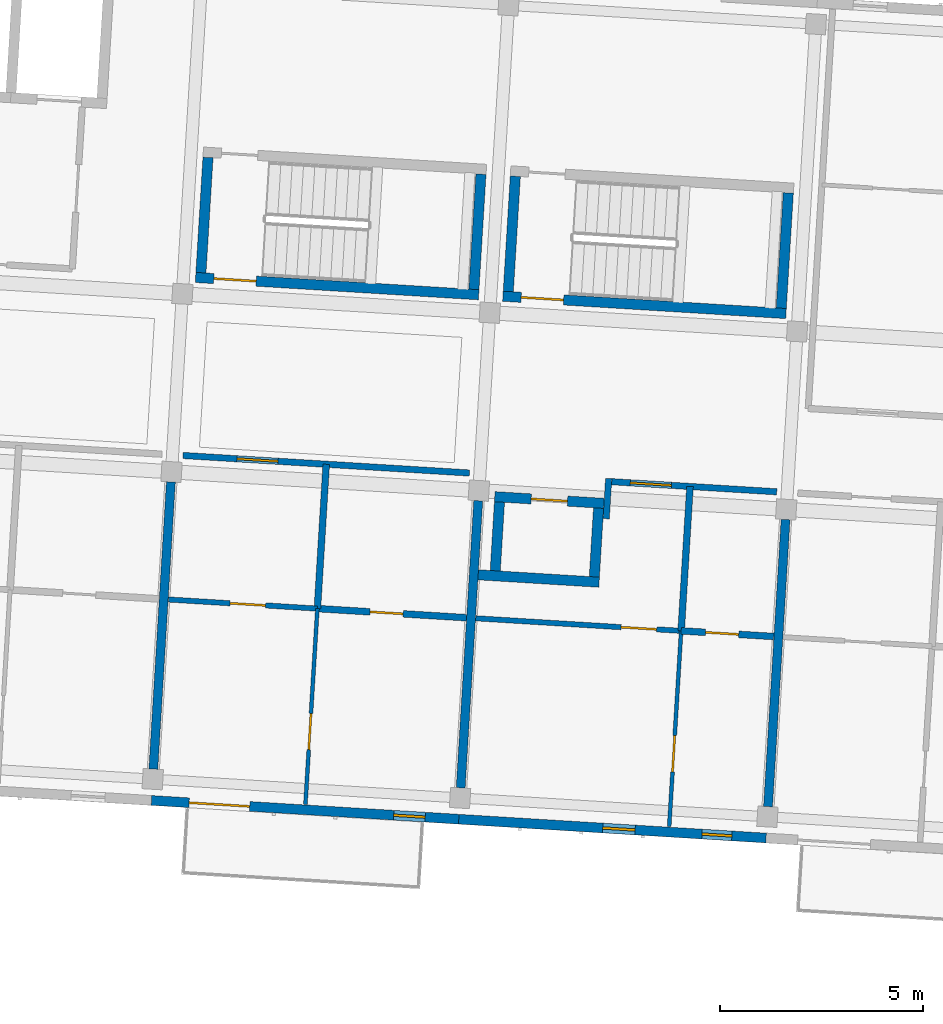
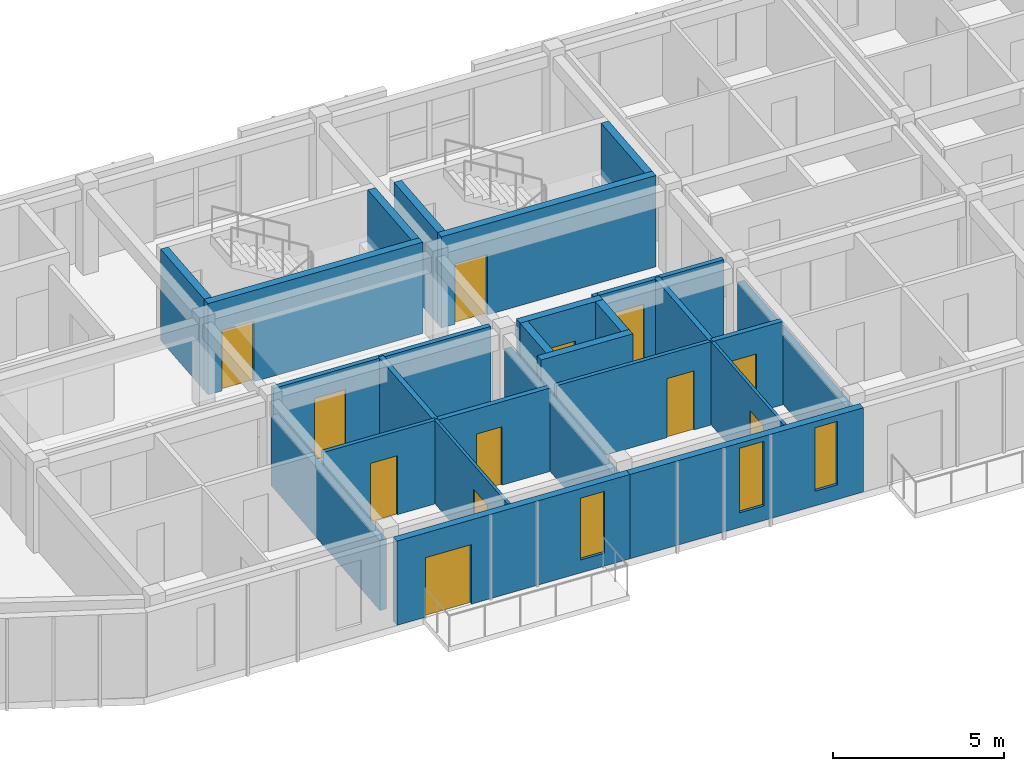
# One storey, part 21 of 74: 26 walls, 12 doors, 3 windows, 15 openings.
"""IFC4 building model written with IfcOpenShell, lengths in metres."""

from ifc_helpers import new_model, si_unit, direction, frame, frame_2d, origin, place, context, subcontext, project, spatial, rectangle, extrude, material, layer, layer_set, type_object, element, fill, save


model = new_model("IFC4")

# Units and contexts
model_context = context("Model", 3, precision=1e-05, world=origin(), true_north=direction((0.0, 1.0)))
body_context = subcontext(model_context, "Body", "Model", "MODEL_VIEW")
ifc_project = project(units=[si_unit("LENGTHUNIT", "METRE"), si_unit("AREAUNIT", "SQUARE_METRE"), si_unit("VOLUMEUNIT", "CUBIC_METRE"), si_unit("PLANEANGLEUNIT", "RADIAN"), si_unit("MASSUNIT", "GRAM", prefix="KILO")], contexts=[model_context])

# Site, building, storey
site_placement = place(None, origin())
site = spatial("IfcSite", under=ifc_project, at=site_placement, CompositionType="ELEMENT")
building_placement = place(site_placement, origin())
building = spatial("IfcBuilding", under=site, at=building_placement, Name="Kestramere Prow Commons", CompositionType="ELEMENT")
storey_placement = place(building_placement, frame((0.0, 0.0, 11.64990234375)))
storey = spatial("IfcBuildingStorey", under=building, at=storey_placement, Name="L03", CompositionType="ELEMENT", Elevation=11.64990234375)

# Wall, openings, door, window
ifc_material_1 = material(Name="Fluoropolymer Standing-Seam Zinc-Aluminium Cladding", Category="aluminium")
ifc_layer_1 = layer(ifc_material_1, 0.239990234375)
ifc_layer_set_1 = layer_set([ifc_layer_1], Name="Fluoropolymer Standing-Seam Zinc-Aluminium Cladding")
wall_type_1 = type_object("IfcWallType", Name="EW-SEAM-240", PredefinedType="SOLIDWALL", material=ifc_layer_set_1)
wall_1_placement = place(storey_placement, frame((74.6396484375, 45.048095703125, 0.0), z_axis=(0.0, 0.0, 1.0), x_axis=(-0.998135669243, 0.061034300063, 0.0)))
wall_1 = element("IfcWall", 1, at=wall_1_placement, inside=storey, type_object=wall_type_1, Name="Block C L03 South Standing-Seam Wall 2", PredefinedType="SOLIDWALL", context=body_context, shape_type="SweptSolid", body=[
    extrude(rectangle(XDim=7.60009765625, YDim=0.239990234375, at=frame_2d((3.800048828125, 0.0))), origin(), (0.0, 0.0, 1.0), 3.0),
])
opening_1_placement = place(wall_1_placement, frame((5.1689453125, 0.0, 0.0)))
opening_1 = element("IfcOpeningElement", 2, at=opening_1_placement, cuts=wall_1, Name="Opening GD-BAL-01", PredefinedType="OPENING", context=body_context, shape_type="SweptSolid", body=[
    extrude(rectangle(XDim=1.5, YDim=2.1201171875, at=frame_2d((0.75, 1.06005859375))), frame((0.0, 0.135009765625, 0.0), z_axis=(0.0, -1.0, 0.0), x_axis=(1.0, 0.0, 0.0)), (0.0, 0.0, 1.0), 0.27001953125),
])
opening_2_placement = place(wall_1_placement, frame((0.830078125, 0.0, 0.4599609375)))
opening_2 = element("IfcOpeningElement", 3, at=opening_2_placement, cuts=wall_1, Name="Opening WN-11", PredefinedType="OPENING", context=body_context, shape_type="SweptSolid", body=[
    extrude(rectangle(XDim=0.780029296875, YDim=2.199951171875, at=frame_2d((0.39013671875, 1.10009765625))), frame((0.0, 0.135009765625, 0.0), z_axis=(0.0, -1.0, 0.0), x_axis=(1.0, 0.0, 0.0)), (0.0, 0.0, 1.0), 0.27001953125),
])
ifc_material_2 = material(Name="Thermally-Broken Anodised Aluminium Glazed", Category="aluminium")
door_type_1 = type_object("IfcDoorType", Name="GD-BAL-1500", OperationType="SLIDING_TO_RIGHT", PredefinedType="DOOR", material=ifc_material_2)
door_1_placement = place(opening_1_placement, origin())
door_1 = element("IfcDoor", 4, at=door_1_placement, inside=storey, type_object=door_type_1, Name="Block C L03 Balcony Door 2", OperationType="SLIDING_TO_RIGHT", OverallHeight=2.1201171875, OverallWidth=1.5, PredefinedType="DOOR", context=body_context, shape_type="SweptSolid", body=[
    extrude(rectangle(XDim=1.5, YDim=2.1201171875, at=frame_2d((0.75, 1.06005859375))), frame((0.0, 0.02490234375, 0.0), z_axis=(0.0, -1.0, 0.0), x_axis=(1.0, 0.0, 0.0)), (0.0, 0.0, 1.0), 0.050048828125),
])
fill(opening_1, door_1)
ifc_material_3 = material(Name="Low-E Laminated Double Glazing", Category="glass")
window_type_1 = type_object("IfcWindowType", Name="WN-NAR-780A", PartitioningType="SINGLE_PANEL", PredefinedType="WINDOW", material=ifc_material_3)
window_1_placement = place(opening_2_placement, origin())
window_1 = element("IfcWindow", 5, at=window_1_placement, inside=storey, type_object=window_type_1, Name="WN-C-L03-SR-1", OverallHeight=2.199951171875, OverallWidth=0.780029296875, PartitioningType="SINGLE_PANEL", PredefinedType="WINDOW", context=body_context, shape_type="SweptSolid", body=[
    extrude(rectangle(XDim=0.780029296875, YDim=2.199951171875, at=frame_2d((0.39013671875, 1.10009765625))), frame((0.0, 0.030029296875, 0.0), z_axis=(0.0, -1.0, 0.0), x_axis=(1.0, 0.0, 0.0)), (0.0, 0.0, 1.0), 0.06005859375),
])
fill(opening_2, window_1)

# Wall, openings, windows
wall_2_placement = place(storey_placement, frame((82.225341796875, 44.583984375, 0.0), z_axis=(0.0, 0.0, 1.0), x_axis=(-0.998133591969, 0.061068261669, 0.0)))
wall_2 = element("IfcWall", 6, at=wall_2_placement, inside=storey, type_object=wall_type_1, Name="Block C L03 South Standing-Seam Wall 3", PredefinedType="SOLIDWALL", context=body_context, shape_type="SweptSolid", body=[
    extrude(rectangle(XDim=7.599853515625, YDim=0.239990234375, at=frame_2d((3.7998046875, 0.0))), origin(), (0.0, 0.0, 1.0), 3.0),
])
opening_3_placement = place(wall_2_placement, frame((0.84521484375, 0.0, 0.52001953125)))
opening_3 = element("IfcOpeningElement", 7, at=opening_3_placement, cuts=wall_2, Name="Opening WN-09", PredefinedType="OPENING", context=body_context, shape_type="SweptSolid", body=[
    extrude(rectangle(XDim=0.739990234375, YDim=2.260009765625, at=frame_2d((0.3701171875, 1.1298828125))), frame((0.0, 0.135009765625, 0.0), z_axis=(0.0, -1.0, 0.0), x_axis=(1.0, 0.0, 0.0)), (0.0, 0.0, 1.0), 0.27001953125),
])
opening_4_placement = place(wall_2_placement, frame((3.239990234375, 0.0, 0.52001953125)))
opening_4 = element("IfcOpeningElement", 8, at=opening_4_placement, cuts=wall_2, Name="Opening WN-12", PredefinedType="OPENING", context=body_context, shape_type="SweptSolid", body=[
    extrude(rectangle(XDim=0.800048828125, YDim=2.300048828125, at=frame_2d((0.39990234375, 1.14990234375))), frame((0.0, 0.135009765625, 0.0), z_axis=(0.0, -1.0, 0.0), x_axis=(1.0, 0.0, 0.0)), (0.0, 0.0, 1.0), 0.27001953125),
])
window_type_2 = type_object("IfcWindowType", Name="WN-NAR-740A", PartitioningType="SINGLE_PANEL", PredefinedType="WINDOW", material=ifc_material_3)
window_2_placement = place(opening_3_placement, origin())
window_2 = element("IfcWindow", 9, at=window_2_placement, inside=storey, type_object=window_type_2, Name="WN-C-L03-S-2-00", OverallHeight=2.260009765625, OverallWidth=0.739990234375, PartitioningType="SINGLE_PANEL", PredefinedType="WINDOW", context=body_context, shape_type="SweptSolid", body=[
    extrude(rectangle(XDim=0.739990234375, YDim=2.260009765625, at=frame_2d((0.3701171875, 1.1298828125))), frame((0.0, 0.030029296875, 0.0), z_axis=(0.0, -1.0, 0.0), x_axis=(1.0, 0.0, 0.0)), (0.0, 0.0, 1.0), 0.06005859375),
])
fill(opening_3, window_2)
window_type_3 = type_object("IfcWindowType", Name="WN-NAR-800A", PartitioningType="SINGLE_PANEL", PredefinedType="WINDOW", material=ifc_material_3)
window_3_placement = place(opening_4_placement, origin())
window_3 = element("IfcWindow", 10, at=window_3_placement, inside=storey, type_object=window_type_3, Name="WN-C-L03-S-2-10", OverallHeight=2.300048828125, OverallWidth=0.800048828125, PartitioningType="SINGLE_PANEL", PredefinedType="WINDOW", context=body_context, shape_type="SweptSolid", body=[
    extrude(rectangle(XDim=0.800048828125, YDim=2.300048828125, at=frame_2d((0.39990234375, 1.14990234375))), frame((0.0, 0.030029296875, 0.0), z_axis=(0.0, -1.0, 0.0), x_axis=(1.0, 0.0, 0.0)), (0.0, 0.0, 1.0), 0.06005859375),
])
fill(opening_4, window_3)

# Wall, opening, door
ifc_material_4 = material(Name="Concrete C40/50", Category="concrete")
ifc_layer_2 = layer(ifc_material_4, 0.25)
ifc_layer_set_2 = layer_set([ifc_layer_2], Name="Concrete C40/50")
wall_type_2 = type_object("IfcWallType", Name="W-CORE-250", PredefinedType="SHEAR", material=ifc_layer_set_2)
wall_3_placement = place(storey_placement, frame((68.143798828125, 58.41943359375, 0.0), z_axis=(0.0, 0.0, 1.0), x_axis=(0.998135546153, -0.061036313012, 0.0)))
wall_3 = element("IfcWall", 11, at=wall_3_placement, inside=storey, type_object=wall_type_2, Name="ST-C1 L03 Corridor Shaft Wall", PredefinedType="SHEAR", context=body_context, shape_type="SweptSolid", body=[
    extrude(rectangle(XDim=6.999755859375, YDim=0.25, at=frame_2d((3.5, 0.0))), origin(), (0.0, 0.0, 1.0), 3.25),
])
opening_5_placement = place(wall_3_placement, frame((0.449951171875, 0.0, 0.0)))
opening_5 = element("IfcOpeningElement", 12, at=opening_5_placement, cuts=wall_3, Name="Opening ID-01", PredefinedType="OPENING", context=body_context, shape_type="SweptSolid", body=[
    extrude(rectangle(XDim=1.050048828125, YDim=2.14990234375, at=frame_2d((0.52490234375, 1.074951171875))), frame((0.0, 0.139892578125, 0.0), z_axis=(0.0, -1.0, 0.0), x_axis=(1.0, 0.0, 0.0)), (0.0, 0.0, 1.0), 0.280029296875),
])
ifc_material_5 = material(Name="Fire-Rated Timber and Steel Frame", Category="steel")
door_type_2 = type_object("IfcDoorType", Name="FD-ST-01", OperationType="NOTDEFINED", PredefinedType="DOOR", material=ifc_material_5)
door_2_placement = place(opening_5_placement, origin())
door_2 = element("IfcDoor", 13, at=door_2_placement, inside=storey, type_object=door_type_2, Name="ST-C1 L03 Protected Stair Door", OperationType="SINGLE_SWING_RIGHT", OverallHeight=2.14990234375, OverallWidth=1.050048828125, PredefinedType="DOOR", context=body_context, shape_type="SweptSolid", body=[
    extrude(rectangle(XDim=1.050048828125, YDim=2.14990234375, at=frame_2d((0.52490234375, 1.074951171875))), frame((0.0, 0.02490234375, 0.0), z_axis=(0.0, -1.0, 0.0), x_axis=(1.0, 0.0, 0.0)), (0.0, 0.0, 1.0), 0.050048828125),
])
fill(opening_5, door_2)

# Walls
for number, where, z_axis, x_axis, name in (
    (14, (68.276123046875, 58.53662109375, 0.0), (0.0, 0.0, 1.0), (0.06107697143, 0.998133059046, 0.0), "ST-C1 L03 Near Shaft Wall"),
    (15, (75.013671875, 58.12451171875, 0.0), (0.0, 0.0, 1.0), (0.060991628362, 0.99813827763, 0.0), "ST-C1 L03 Far Shaft Wall"),
):
    element("IfcWall", number, at=place(storey_placement, frame(where, z_axis=z_axis, x_axis=x_axis)), inside=storey, type_object=wall_type_2, Name=name, PredefinedType="SHEAR", context=body_context, shape_type="SweptSolid", body=[
        extrude(rectangle(XDim=2.85009765625, YDim=0.25, at=frame_2d((1.425048828125, 0.0))), origin(), (0.0, 0.0, 1.0), 3.25),
    ])

# Wall, opening, door
wall_4_placement = place(storey_placement, frame((75.729736328125, 57.95556640625, 0.0), z_axis=(0.0, 0.0, 1.0), x_axis=(0.998135546153, -0.061036313012, 0.0)))
wall_4 = element("IfcWall", 16, at=wall_4_placement, inside=storey, type_object=wall_type_2, Name="ST-C2 L03 Corridor Shaft Wall", PredefinedType="SHEAR", context=body_context, shape_type="SweptSolid", body=[
    extrude(rectangle(XDim=6.999755859375, YDim=0.25, at=frame_2d((3.5, 0.0))), origin(), (0.0, 0.0, 1.0), 3.25),
])
opening_6_placement = place(wall_4_placement, frame((0.449951171875, 0.0, 0.0)))
opening_6 = element("IfcOpeningElement", 17, at=opening_6_placement, cuts=wall_4, Name="Opening ID-01", PredefinedType="OPENING", context=body_context, shape_type="SweptSolid", body=[
    extrude(rectangle(XDim=1.050048828125, YDim=2.14990234375, at=frame_2d((0.52490234375, 1.074951171875))), frame((0.0, 0.139892578125, 0.0), z_axis=(0.0, -1.0, 0.0), x_axis=(1.0, 0.0, 0.0)), (0.0, 0.0, 1.0), 0.280029296875),
])
door_3_placement = place(opening_6_placement, origin())
door_3 = element("IfcDoor", 18, at=door_3_placement, inside=storey, type_object=door_type_2, Name="ST-C2 L03 Protected Stair Door", OperationType="SINGLE_SWING_RIGHT", OverallHeight=2.14990234375, OverallWidth=1.050048828125, PredefinedType="DOOR", context=body_context, shape_type="SweptSolid", body=[
    extrude(rectangle(XDim=1.050048828125, YDim=2.14990234375, at=frame_2d((0.52490234375, 1.074951171875))), frame((0.0, 0.02490234375, 0.0), z_axis=(0.0, -1.0, 0.0), x_axis=(1.0, 0.0, 0.0)), (0.0, 0.0, 1.0), 0.050048828125),
])
fill(opening_6, door_3)

# Walls
for number, where, z_axis, x_axis, name in (
    (19, (75.862060546875, 58.07275390625, 0.0), (0.0, 0.0, 1.0), (0.060991628362, 0.99813827763, 0.0), "ST-C2 L03 Near Shaft Wall"),
    (20, (82.599365234375, 57.66064453125, 0.0), (0.0, 0.0, 1.0), (0.06107697143, 0.998133059046, 0.0), "ST-C2 L03 Far Shaft Wall"),
):
    element("IfcWall", number, at=place(storey_placement, frame(where, z_axis=z_axis, x_axis=x_axis)), inside=storey, type_object=wall_type_2, Name=name, PredefinedType="SHEAR", context=body_context, shape_type="SweptSolid", body=[
        extrude(rectangle(XDim=2.85009765625, YDim=0.25, at=frame_2d((1.425048828125, 0.0))), origin(), (0.0, 0.0, 1.0), 3.25),
    ])

# Wall, opening, door
ifc_material_6 = material(Name="Fire-Rated Calcium Silicate Wall")
ifc_layer_3 = layer(ifc_material_6, 0.155029296875)
ifc_layer_set_3 = layer_set([ifc_layer_3], Name="Fire-Rated Calcium Silicate Wall")
wall_type_3 = type_object("IfcWallType", Name="W-FIRE-150", PredefinedType="PARTITIONING", material=ifc_layer_set_3)
wall_5_placement = place(storey_placement, frame((67.8349609375, 54.025146484375, 0.0), z_axis=(0.0, 0.0, 1.0), x_axis=(0.998135666539, -0.061034344288, 0.0)))
wall_5 = element("IfcWall", 21, at=wall_5_placement, inside=storey, type_object=wall_type_3, Name="Interior Partition PW-C-L03-CS-1", PredefinedType="PARTITIONING", context=body_context, shape_type="SweptSolid", body=[
    extrude(rectangle(XDim=7.080078125, YDim=0.155029296875, at=frame_2d((3.5400390625, 0.0))), origin(), (0.0, 0.0, 1.0), 2.97021484375),
])
opening_7_placement = place(wall_5_placement, frame((1.330078125, 0.0, 0.0)))
opening_7 = element("IfcOpeningElement", 22, at=opening_7_placement, cuts=wall_5, Name="Opening ID-05", PredefinedType="OPENING", context=body_context, shape_type="SweptSolid", body=[
    extrude(rectangle(XDim=1.02001953125, YDim=2.199951171875, at=frame_2d((0.510009765625, 1.10009765625))), frame((0.0, 0.092529296875, 0.0), z_axis=(0.0, -1.0, 0.0), x_axis=(1.0, 0.0, 0.0)), (0.0, 0.0, 1.0), 0.18505859375),
])
ifc_material_7 = material(Name="Hardwood Fire-Rated Flat Entrance Door", Category="wood")
door_type_3 = type_object("IfcDoorType", Name="FD-ENT-02", OperationType="NOTDEFINED", PredefinedType="DOOR", material=ifc_material_7)
door_4_placement = place(opening_7_placement, origin())
door_4 = element("IfcDoor", 23, at=door_4_placement, inside=storey, type_object=door_type_3, Name="Interior Door DR-C-L03-ENT-S1", OperationType="SINGLE_SWING_LEFT", OverallHeight=2.199951171875, OverallWidth=1.02001953125, PredefinedType="DOOR", context=body_context, shape_type="SweptSolid", body=[
    extrude(rectangle(XDim=1.02001953125, YDim=2.199951171875, at=frame_2d((0.510009765625, 1.10009765625))), frame((0.0, 0.02490234375, 0.0), z_axis=(0.0, -1.0, 0.0), x_axis=(1.0, 0.0, 0.0)), (0.0, 0.0, 1.0), 0.050048828125),
])
fill(opening_7, door_4)

# Wall
wall_6_placement = place(storey_placement, frame((78.279052734375, 52.464599609375, 0.0), z_axis=(0.0, 0.0, 1.0), x_axis=(0.061095097219, 0.998131949742, 0.0)))
element("IfcWall", 24, at=wall_6_placement, inside=storey, type_object=wall_type_3, Name="Interior Partition PW-C-L03-HS-CLOSER", PredefinedType="PARTITIONING", context=body_context, shape_type="SweptSolid", body=[
    extrude(rectangle(XDim=0.9951171875, YDim=0.155029296875, at=frame_2d((0.49755859375, 0.0))), origin(), (0.0, 0.0, 1.0), 2.97021484375),
])

# Wall, opening, door
wall_7_placement = place(storey_placement, frame((78.415283203125, 53.378173828125, 0.0), z_axis=(0.0, 0.0, 1.0), x_axis=(0.998131852862, -0.061096679962, 0.0)))
wall_7 = element("IfcWall", 25, at=wall_7_placement, inside=storey, type_object=wall_type_3, Name="Interior Partition PW-C-L03-CS-2", PredefinedType="PARTITIONING", context=body_context, shape_type="SweptSolid", body=[
    extrude(rectangle(XDim=4.079833984375, YDim=0.155029296875, at=frame_2d((2.0400390625, 0.0))), origin(), (0.0, 0.0, 1.0), 2.97021484375),
])
opening_8_placement = place(wall_7_placement, frame((0.45703125, 0.0, 0.0)))
opening_8 = element("IfcOpeningElement", 26, at=opening_8_placement, cuts=wall_7, Name="Opening ID-05", PredefinedType="OPENING", context=body_context, shape_type="SweptSolid", body=[
    extrude(rectangle(XDim=1.02001953125, YDim=2.199951171875, at=frame_2d((0.510009765625, 1.10009765625))), frame((0.0, 0.092529296875, 0.0), z_axis=(0.0, -1.0, 0.0), x_axis=(1.0, 0.0, 0.0)), (0.0, 0.0, 1.0), 0.18505859375),
])
door_5_placement = place(opening_8_placement, origin())
door_5 = element("IfcDoor", 27, at=door_5_placement, inside=storey, type_object=door_type_3, Name="Interior Door DR-C-L03-ENT-S2", OperationType="SINGLE_SWING_RIGHT", OverallHeight=2.199951171875, OverallWidth=1.02001953125, PredefinedType="DOOR", context=body_context, shape_type="SweptSolid", body=[
    extrude(rectangle(XDim=1.02001953125, YDim=2.199951171875, at=frame_2d((0.510009765625, 1.10009765625))), frame((0.0, 0.02490234375, 0.0), z_axis=(0.0, -1.0, 0.0), x_axis=(1.0, 0.0, 0.0)), (0.0, 0.0, 1.0), 0.050048828125),
])
fill(opening_8, door_5)

# Wall
ifc_layer_4 = layer(ifc_material_4, 0.25)
ifc_layer_set_4 = layer_set([ifc_layer_4], Name="Concrete C40/50")
wall_type_4 = type_object("IfcWallType", Name="W-HS-250", PredefinedType="SHEAR", material=ifc_layer_set_4)
wall_8_placement = place(storey_placement, frame((75.11865234375, 51.080078125, 0.0), z_axis=(0.0, 0.0, 1.0), x_axis=(0.998133370443, -0.061071882298, 0.0)))
element("IfcWall", 28, at=wall_8_placement, inside=storey, type_object=wall_type_4, Name="Block C L03 Household Shelter South Wall", PredefinedType="SHEAR", context=body_context, shape_type="SweptSolid", body=[
    extrude(rectangle(XDim=2.990234375, YDim=0.25, at=frame_2d((1.4951171875, 0.0))), origin(), (0.0, 0.0, 1.0), 3.25),
])

# Wall, opening, door
wall_9_placement = place(storey_placement, frame((75.52734375, 53.0087890625, 0.0), z_axis=(0.0, 0.0, 1.0), x_axis=(0.998129907752, -0.061128448781, 0.0)))
wall_9 = element("IfcWall", 29, at=wall_9_placement, inside=storey, type_object=wall_type_4, Name="Block C L03 Household Shelter North Wall", PredefinedType="SHEAR", context=body_context, shape_type="SweptSolid", body=[
    extrude(rectangle(XDim=2.699951171875, YDim=0.25, at=frame_2d((1.35009765625, 0.0))), origin(), (0.0, 0.0, 1.0), 3.25),
])
opening_9_placement = place(wall_9_placement, frame((0.89990234375, 0.0, 0.0)))
opening_9 = element("IfcOpeningElement", 30, at=opening_9_placement, cuts=wall_9, Name="Opening ID-06", PredefinedType="OPENING", context=body_context, shape_type="SweptSolid", body=[
    extrude(rectangle(XDim=0.89990234375, YDim=2.050048828125, at=frame_2d((0.449951171875, 1.02490234375))), frame((0.0, 0.139892578125, 0.0), z_axis=(0.0, -1.0, 0.0), x_axis=(1.0, 0.0, 0.0)), (0.0, 0.0, 1.0), 0.280029296875),
])
ifc_material_8 = material(Name="Galvanised Steel S275JR Household Shelter Door", Category="steel")
door_type_4 = type_object("IfcDoorType", Name="FD-HS-01", OperationType="NOTDEFINED", PredefinedType="DOOR", material=ifc_material_8)
door_6_placement = place(opening_9_placement, origin())
door_6 = element("IfcDoor", 31, at=door_6_placement, inside=storey, type_object=door_type_4, Name="Block C L03 Household Shelter Blast Door", OperationType="SINGLE_SWING_LEFT", OverallHeight=2.050048828125, OverallWidth=0.89990234375, PredefinedType="DOOR", context=body_context, shape_type="SweptSolid", body=[
    extrude(rectangle(XDim=0.89990234375, YDim=2.050048828125, at=frame_2d((0.449951171875, 1.02490234375))), frame((0.0, 0.02490234375, 0.0), z_axis=(0.0, -1.0, 0.0), x_axis=(1.0, 0.0, 0.0)), (0.0, 0.0, 1.0), 0.050048828125),
])
fill(opening_9, door_6)

# Walls
wall_10_placement = place(storey_placement, frame((75.54052734375, 51.179443359375, 0.0), z_axis=(0.0, 0.0, 1.0), x_axis=(0.061037062968, 0.998135500293, 0.0)))
element("IfcWall", 32, at=wall_10_placement, inside=storey, type_object=wall_type_4, Name="Block C L03 Household Shelter W Wall", PredefinedType="SHEAR", context=body_context, shape_type="SweptSolid", body=[
    extrude(rectangle(XDim=1.699951171875, YDim=0.25, at=frame_2d((0.85009765625, 0.0))), origin(), (0.0, 0.0, 1.0), 3.25),
])
wall_11_placement = place(storey_placement, frame((77.986083984375, 51.02978515625, 0.0), z_axis=(0.0, 0.0, 1.0), x_axis=(0.061028314627, 0.998136035225, 0.0)))
element("IfcWall", 33, at=wall_11_placement, inside=storey, type_object=wall_type_4, Name="Block C L03 Household Shelter E Wall", PredefinedType="SHEAR", context=body_context, shape_type="SweptSolid", body=[
    extrude(rectangle(XDim=1.7001953125, YDim=0.25, at=frame_2d((0.85009765625, 0.0))), origin(), (0.0, 0.0, 1.0), 3.25),
])

# Wall, opening, door
ifc_material_9 = material(Name="Lightweight Blockwork and Plaster", Category="masonry")
ifc_layer_5 = layer(ifc_material_9, 0.1298828125)
ifc_layer_set_5 = layer_set([ifc_layer_5], Name="Lightweight Blockwork and Plaster")
wall_type_5 = type_object("IfcWallType", Name="W-PART-130", PredefinedType="PARTITIONING", material=ifc_layer_set_5)
wall_12_placement = place(storey_placement, frame((67.47216796875, 50.470703125, 0.0), z_axis=(0.0, 0.0, 1.0), x_axis=(0.998136719672, -0.061017119263, 0.0)))
wall_12 = element("IfcWall", 34, at=wall_12_placement, inside=storey, type_object=wall_type_5, Name="Interior Partition PW-C-L03-MIDS1-1", PredefinedType="PARTITIONING", context=body_context, shape_type="SweptSolid", body=[
    extrude(rectangle(XDim=3.68505859375, YDim=0.1298828125, at=frame_2d((1.842529296875, 0.0))), origin(), (0.0, 0.0, 1.0), 2.97021484375),
])
opening_10_placement = place(wall_12_placement, frame((1.52490234375, 0.0, 0.0)))
opening_10 = element("IfcOpeningElement", 35, at=opening_10_placement, cuts=wall_12, Name="Opening ID-10", PredefinedType="OPENING", context=body_context, shape_type="SweptSolid", body=[
    extrude(rectangle(XDim=0.8798828125, YDim=2.10009765625, at=frame_2d((0.43994140625, 1.050048828125))), frame((0.0, 0.079833984375, 0.0), z_axis=(0.0, -1.0, 0.0), x_axis=(1.0, 0.0, 0.0)), (0.0, 0.0, 1.0), 0.159912109375),
])
ifc_material_10 = material(Name="Engineered Timber Bedroom Door", Category="wood")
door_type_5 = type_object("IfcDoorType", Name="D-RM-03", OperationType="NOTDEFINED", PredefinedType="DOOR", material=ifc_material_10)
door_7_placement = place(opening_10_placement, origin())
door_7 = element("IfcDoor", 36, at=door_7_placement, inside=storey, type_object=door_type_5, Name="Interior Door DR-C-L03-KL-S1", OperationType="SINGLE_SWING_RIGHT", OverallHeight=2.10009765625, OverallWidth=0.8798828125, PredefinedType="DOOR", context=body_context, shape_type="SweptSolid", body=[
    extrude(rectangle(XDim=0.8798828125, YDim=2.10009765625, at=frame_2d((0.43994140625, 1.050048828125))), frame((0.0, 0.02490234375, 0.0), z_axis=(0.0, -1.0, 0.0), x_axis=(1.0, 0.0, 0.0)), (0.0, 0.0, 1.0), 0.050048828125),
])
fill(opening_10, door_7)

wall_13_placement = place(storey_placement, frame((75.05810546875, 50.0068359375, 0.0), z_axis=(0.0, 0.0, 1.0), x_axis=(0.998132708268, -0.061082703655, 0.0)))
wall_13 = element("IfcWall", 37, at=wall_13_placement, inside=storey, type_object=wall_type_5, Name="Interior Partition PW-C-L03-MIDS1-2", PredefinedType="PARTITIONING", context=body_context, shape_type="SweptSolid", body=[
    extrude(rectangle(XDim=5.080078125, YDim=0.1298828125, at=frame_2d((2.5400390625, 0.0))), origin(), (0.0, 0.0, 1.0), 2.97021484375),
])
opening_11_placement = place(wall_13_placement, frame((3.594970703125, 0.0, 0.0)))
opening_11 = element("IfcOpeningElement", 38, at=opening_11_placement, cuts=wall_13, Name="Opening ID-10", PredefinedType="OPENING", context=body_context, shape_type="SweptSolid", body=[
    extrude(rectangle(XDim=0.8798828125, YDim=2.10009765625, at=frame_2d((0.43994140625, 1.050048828125))), frame((0.0, 0.079833984375, 0.0), z_axis=(0.0, -1.0, 0.0), x_axis=(1.0, 0.0, 0.0)), (0.0, 0.0, 1.0), 0.159912109375),
])
door_8_placement = place(opening_11_placement, origin())
door_8 = element("IfcDoor", 39, at=door_8_placement, inside=storey, type_object=door_type_5, Name="Interior Door DR-C-L03-KL-S2", OperationType="SINGLE_SWING_RIGHT", OverallHeight=2.10009765625, OverallWidth=0.8798828125, PredefinedType="DOOR", context=body_context, shape_type="SweptSolid", body=[
    extrude(rectangle(XDim=0.8798828125, YDim=2.10009765625, at=frame_2d((0.43994140625, 1.050048828125))), frame((0.0, 0.02490234375, 0.0), z_axis=(0.0, -1.0, 0.0), x_axis=(1.0, 0.0, 0.0)), (0.0, 0.0, 1.0), 0.050048828125),
])
fill(opening_11, door_8)

ifc_material_11 = material(Name="Gypsum Acoustic Drywall")
ifc_layer_6 = layer(ifc_material_11, 0.094970703125)
ifc_layer_set_6 = layer_set([ifc_layer_6], Name="Gypsum Acoustic Drywall")
wall_type_6 = type_object("IfcWallType", Name="W-PART-95", PredefinedType="PARTITIONING", material=ifc_layer_set_6)
wall_14_placement = place(storey_placement, frame((70.85498046875, 45.414794921875, 0.0), z_axis=(0.0, 0.0, 1.0), x_axis=(0.061034170677, 0.998135677155, 0.0)))
wall_14 = element("IfcWall", 40, at=wall_14_placement, inside=storey, type_object=wall_type_6, Name="Interior Partition PW-C-L03-LB-S1", PredefinedType="PARTITIONING", context=body_context, shape_type="SweptSolid", body=[
    extrude(rectangle(XDim=4.840087890625, YDim=0.094970703125, at=frame_2d((2.419921875, 0.0))), origin(), (0.0, 0.0, 1.0), 2.97021484375),
])
opening_12_placement = place(wall_14_placement, frame((1.35009765625, 0.0, 0.0)))
opening_12 = element("IfcOpeningElement", 41, at=opening_12_placement, cuts=wall_14, Name="Opening ID-08", PredefinedType="OPENING", context=body_context, shape_type="SweptSolid", body=[
    extrude(rectangle(XDim=0.89990234375, YDim=2.10009765625, at=frame_2d((0.449951171875, 1.050048828125))), frame((0.0, 0.0625, 0.0), z_axis=(0.0, -1.0, 0.0), x_axis=(1.0, 0.0, 0.0)), (0.0, 0.0, 1.0), 0.125),
])
ifc_material_12 = material(Name="Engineered Timber Flush Door", Category="wood")
door_type_6 = type_object("IfcDoorType", Name="D-RM-01", OperationType="NOTDEFINED", PredefinedType="DOOR", material=ifc_material_12)
door_9_placement = place(opening_12_placement, origin())
door_9 = element("IfcDoor", 42, at=door_9_placement, inside=storey, type_object=door_type_6, Name="Interior Door DR-C-L03-BED-S1", OperationType="SINGLE_SWING_RIGHT", OverallHeight=2.10009765625, OverallWidth=0.89990234375, PredefinedType="DOOR", context=body_context, shape_type="SweptSolid", body=[
    extrude(rectangle(XDim=0.89990234375, YDim=2.10009765625, at=frame_2d((0.449951171875, 1.050048828125))), frame((0.0, 0.02490234375, 0.0), z_axis=(0.0, -1.0, 0.0), x_axis=(1.0, 0.0, 0.0)), (0.0, 0.0, 1.0), 0.050048828125),
])
fill(opening_12, door_9)

wall_15_placement = place(storey_placement, frame((79.833251953125, 44.86572265625, 0.0), z_axis=(0.0, 0.0, 1.0), x_axis=(0.061037243745, 0.998135489238, 0.0)))
wall_15 = element("IfcWall", 43, at=wall_15_placement, inside=storey, type_object=wall_type_6, Name="Interior Partition PW-C-L03-LB-S2", PredefinedType="PARTITIONING", context=body_context, shape_type="SweptSolid", body=[
    extrude(rectangle(XDim=4.83984375, YDim=0.094970703125, at=frame_2d((2.419921875, 0.0))), origin(), (0.0, 0.0, 1.0), 2.97021484375),
])
opening_13_placement = place(wall_15_placement, frame((1.35009765625, 0.0, 0.0)))
opening_13 = element("IfcOpeningElement", 44, at=opening_13_placement, cuts=wall_15, Name="Opening ID-08", PredefinedType="OPENING", context=body_context, shape_type="SweptSolid", body=[
    extrude(rectangle(XDim=0.89990234375, YDim=2.10009765625, at=frame_2d((0.449951171875, 1.050048828125))), frame((0.0, 0.0625, 0.0), z_axis=(0.0, -1.0, 0.0), x_axis=(1.0, 0.0, 0.0)), (0.0, 0.0, 1.0), 0.125),
])
door_10_placement = place(opening_13_placement, origin())
door_10 = element("IfcDoor", 45, at=door_10_placement, inside=storey, type_object=door_type_6, Name="Interior Door DR-C-L03-BED-S2", OperationType="SINGLE_SWING_LEFT", OverallHeight=2.10009765625, OverallWidth=0.89990234375, PredefinedType="DOOR", context=body_context, shape_type="SweptSolid", body=[
    extrude(rectangle(XDim=0.89990234375, YDim=2.10009765625, at=frame_2d((0.449951171875, 1.050048828125))), frame((0.0, 0.02490234375, 0.0), z_axis=(0.0, -1.0, 0.0), x_axis=(1.0, 0.0, 0.0)), (0.0, 0.0, 1.0), 0.050048828125),
])
fill(opening_13, door_10)

ifc_material_13 = material(Name="Waterproof Sanitary Masonry Wall", Category="masonry")
ifc_layer_7 = layer(ifc_material_13, 0.1650390625)
ifc_layer_set_7 = layer_set([ifc_layer_7], Name="Waterproof Sanitary Masonry Wall")
wall_type_7 = type_object("IfcWallType", Name="W-PLUMB-150", PredefinedType="PLUMBINGWALL", material=ifc_layer_set_7)
wall_16_placement = place(storey_placement, frame((71.150390625, 50.245849609375, 0.0), z_axis=(0.0, 0.0, 1.0), x_axis=(0.998132682596, -0.061083123148, 0.0)))
wall_16 = element("IfcWall", 46, at=wall_16_placement, inside=storey, type_object=wall_type_7, Name="Interior Partition PW-C-L03-MIDS2-1", PredefinedType="PLUMBINGWALL", context=body_context, shape_type="SweptSolid", body=[
    extrude(rectangle(XDim=3.68505859375, YDim=0.1650390625, at=frame_2d((1.842529296875, 0.0))), origin(), (0.0, 0.0, 1.0), 2.97021484375),
])
opening_14_placement = place(wall_16_placement, frame((1.300048828125, 0.0, 0.0)))
opening_14 = element("IfcOpeningElement", 47, at=opening_14_placement, cuts=wall_16, Name="Opening ID-11", PredefinedType="OPENING", context=body_context, shape_type="SweptSolid", body=[
    extrude(rectangle(XDim=0.820068359375, YDim=2.080078125, at=frame_2d((0.41015625, 1.0400390625))), frame((0.0, 0.097412109375, 0.0), z_axis=(0.0, -1.0, 0.0), x_axis=(1.0, 0.0, 0.0)), (0.0, 0.0, 1.0), 0.195068359375),
])
ifc_material_14 = material(Name="Moisture-Resistant Timber Bathroom Door", Category="wood")
door_type_7 = type_object("IfcDoorType", Name="D-BT-01", OperationType="NOTDEFINED", PredefinedType="DOOR", material=ifc_material_14)
door_11_placement = place(opening_14_placement, origin())
door_11 = element("IfcDoor", 48, at=door_11_placement, inside=storey, type_object=door_type_7, Name="Interior Door DR-C-L03-BTH-S1", OperationType="SINGLE_SWING_LEFT", OverallHeight=2.080078125, OverallWidth=0.820068359375, PredefinedType="DOOR", context=body_context, shape_type="SweptSolid", body=[
    extrude(rectangle(XDim=0.820068359375, YDim=2.080078125, at=frame_2d((0.41015625, 1.0400390625))), frame((0.0, 0.02490234375, 0.0), z_axis=(0.0, -1.0, 0.0), x_axis=(1.0, 0.0, 0.0)), (0.0, 0.0, 1.0), 0.050048828125),
])
fill(opening_14, door_11)

# Wall
wall_17_placement = place(storey_placement, frame((71.150390625, 50.245849609375, 0.0), z_axis=(0.0, 0.0, 1.0), x_axis=(0.061071129902, 0.998133416479, 0.0)))
element("IfcWall", 49, at=wall_17_placement, inside=storey, type_object=wall_type_7, Name="Interior Partition PW-C-L03-KB-S1", PredefinedType="PLUMBINGWALL", context=body_context, shape_type="SweptSolid", body=[
    extrude(rectangle(XDim=3.56982421875, YDim=0.1650390625, at=frame_2d((1.784912109375, 0.0))), origin(), (0.0, 0.0, 1.0), 2.97021484375),
])

# Wall, opening, door
wall_18_placement = place(storey_placement, frame((80.128662109375, 49.696533203125, 0.0), z_axis=(0.0, 0.0, 1.0), x_axis=(0.998138723231, -0.060984335579, 0.0)))
wall_18 = element("IfcWall", 50, at=wall_18_placement, inside=storey, type_object=wall_type_7, Name="Interior Partition PW-C-L03-MIDS2-2", PredefinedType="PLUMBINGWALL", context=body_context, shape_type="SweptSolid", body=[
    extrude(rectangle(XDim=2.289794921875, YDim=0.1650390625, at=frame_2d((1.14501953125, 0.0))), origin(), (0.0, 0.0, 1.0), 2.97021484375),
])
opening_15_placement = place(wall_18_placement, frame((0.60302734375, 0.0, 0.0)))
opening_15 = element("IfcOpeningElement", 51, at=opening_15_placement, cuts=wall_18, Name="Opening ID-11", PredefinedType="OPENING", context=body_context, shape_type="SweptSolid", body=[
    extrude(rectangle(XDim=0.820068359375, YDim=2.080078125, at=frame_2d((0.41015625, 1.0400390625))), frame((0.0, 0.097412109375, 0.0), z_axis=(0.0, -1.0, 0.0), x_axis=(1.0, 0.0, 0.0)), (0.0, 0.0, 1.0), 0.195068359375),
])
door_12_placement = place(opening_15_placement, origin())
door_12 = element("IfcDoor", 52, at=door_12_placement, inside=storey, type_object=door_type_7, Name="Interior Door DR-C-L03-BTH-S2", OperationType="SINGLE_SWING_LEFT", OverallHeight=2.080078125, OverallWidth=0.820068359375, PredefinedType="DOOR", context=body_context, shape_type="SweptSolid", body=[
    extrude(rectangle(XDim=0.820068359375, YDim=2.080078125, at=frame_2d((0.41015625, 1.0400390625))), frame((0.0, 0.02490234375, 0.0), z_axis=(0.0, -1.0, 0.0), x_axis=(1.0, 0.0, 0.0)), (0.0, 0.0, 1.0), 0.050048828125),
])
fill(opening_15, door_12)

# Walls
wall_19_placement = place(storey_placement, frame((80.128662109375, 49.696533203125, 0.0), z_axis=(0.0, 0.0, 1.0), x_axis=(0.061066961405, 0.998133671521, 0.0)))
element("IfcWall", 53, at=wall_19_placement, inside=storey, type_object=wall_type_7, Name="Interior Partition PW-C-L03-KB-S2", PredefinedType="PLUMBINGWALL", context=body_context, shape_type="SweptSolid", body=[
    extrude(rectangle(XDim=3.570068359375, YDim=0.1650390625, at=frame_2d((1.78515625, 0.0))), origin(), (0.0, 0.0, 1.0), 2.97021484375),
])
ifc_material_15 = material(Name="Precast concrete C40/50", Category="concrete")
ifc_layer_8 = layer(ifc_material_15, 0.219970703125)
ifc_layer_set_8 = layer_set([ifc_layer_8], Name="Precast concrete C40/50")
wall_type_8 = type_object("IfcWallType", Name="W-XWALL-220", PredefinedType="SHEAR", material=ifc_layer_set_8)
wall_20_placement = place(storey_placement, frame((67.10107421875, 46.28564453125, 0.0), z_axis=(0.0, 0.0, 1.0), x_axis=(0.061035953884, 0.998135568114, 0.0)))
element("IfcWall", 54, at=wall_20_placement, inside=storey, type_object=wall_type_8, Name="Block C L03 Precast Cross-Wall 1", PredefinedType="SHEAR", context=body_context, shape_type="SweptSolid", body=[
    extrude(rectangle(XDim=7.099853515625, YDim=0.219970703125, at=frame_2d((3.5498046875, 0.0))), origin(), (0.0, 0.0, 1.0), 2.5),
])
wall_21_placement = place(storey_placement, frame((74.68701171875, 45.821533203125, 0.0), z_axis=(0.0, 0.0, 1.0), x_axis=(0.061033859059, 0.99813569621, 0.0)))
element("IfcWall", 55, at=wall_21_placement, inside=storey, type_object=wall_type_8, Name="Block C L03 Precast Cross-Wall 2", PredefinedType="SHEAR", context=body_context, shape_type="SweptSolid", body=[
    extrude(rectangle(XDim=7.10009765625, YDim=0.219970703125, at=frame_2d((3.550048828125, 0.0))), origin(), (0.0, 0.0, 1.0), 2.5),
])
wall_22_placement = place(storey_placement, frame((82.272705078125, 45.357666015625, 0.0), z_axis=(0.0, 0.0, 1.0), x_axis=(0.061070212127, 0.998133472633, 0.0)))
element("IfcWall", 56, at=wall_22_placement, inside=storey, type_object=wall_type_8, Name="Block C L03 Precast Cross-Wall 3", PredefinedType="SHEAR", context=body_context, shape_type="SweptSolid", body=[
    extrude(rectangle(XDim=7.099853515625, YDim=0.219970703125, at=frame_2d((3.5498046875, 0.0))), origin(), (0.0, 0.0, 1.0), 2.5),
])

save(model, "model.ifc")
